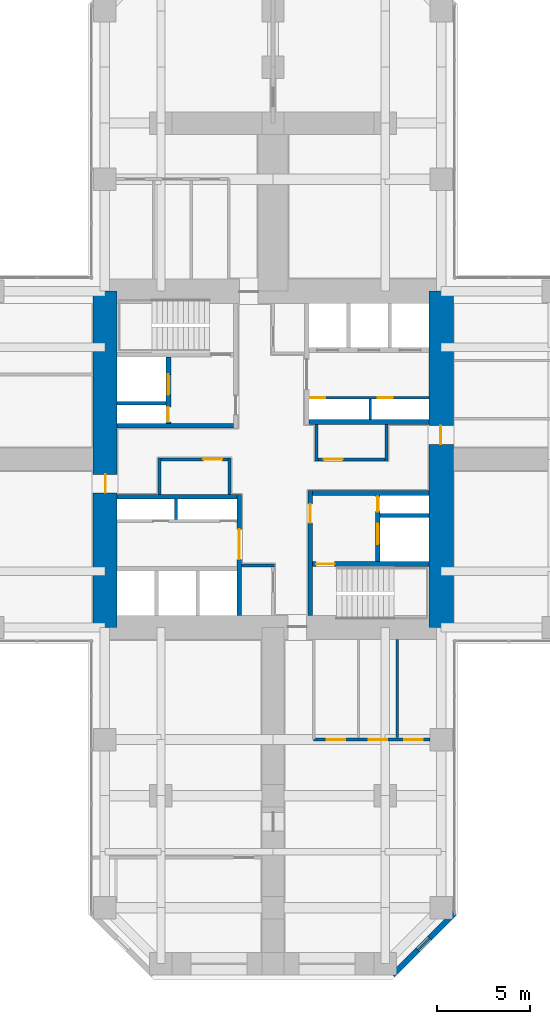
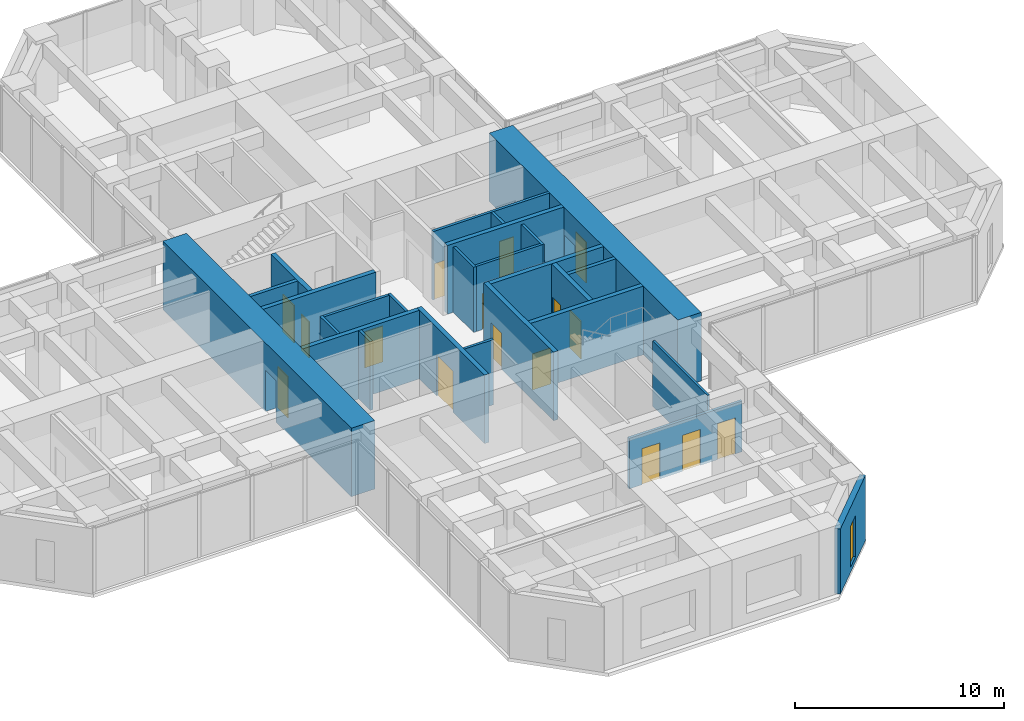
# One storey, part 9 of 12: 26 walls, 16 doors, 1 window, 17 openings.
"""IFC4 building model written with IfcOpenShell, lengths in metres."""

from ifc_helpers import new_model, si_unit, direction, frame, frame_2d, origin, place, context, subcontext, project, spatial, rectangle, hollow_rectangle, extrude, material, layer, layer_set, constituent, constituent_set, type_object, element, fill, save


model = new_model("IFC4")

# Units and contexts
model_context = context("Model", 3, precision=1e-05, world=origin(), true_north=direction((0.0, 1.0)))
body_context = subcontext(model_context, "Body", "Model", "MODEL_VIEW")
ifc_project = project(units=[si_unit("LENGTHUNIT", "METRE"), si_unit("AREAUNIT", "SQUARE_METRE"), si_unit("VOLUMEUNIT", "CUBIC_METRE"), si_unit("PLANEANGLEUNIT", "RADIAN"), si_unit("MASSUNIT", "GRAM", prefix="KILO")], contexts=[model_context])

# Site, building, storey
site_placement = place(None, origin())
site = spatial("IfcSite", under=ifc_project, at=site_placement, CompositionType="ELEMENT")
building_placement = place(site_placement, origin())
building = spatial("IfcBuilding", under=site, at=building_placement, Name="Torre Cruceta", CompositionType="ELEMENT")
storey_placement = place(building_placement, frame((0.0, 0.0, 67.5)))
storey = spatial("IfcBuildingStorey", under=building, at=storey_placement, Name="L16", CompositionType="ELEMENT", Elevation=67.5)

# Walls
ifc_material_1 = material(Name="Concrete G60 (fck 60 MPa)", Category="concrete")
ifc_layer_1 = layer(ifc_material_1, 0.25)
ifc_layer_set_1 = layer_set([ifc_layer_1], Name="Concrete G60 (fck 60 MPa)")
wall_type_1 = type_object("IfcWallType", Name="CORE INNER WALL 250 G60", PredefinedType="SHEAR", material=ifc_layer_set_1)
wall_1_placement = place(storey_placement, frame((1.925048828125, 2.0, 0.0), z_axis=(0.0, 0.0, 1.0), x_axis=(1.0, 0.0, 0.0)))
element("IfcWall", 1, at=wall_1_placement, inside=storey, type_object=wall_type_1, Name="CW4 L16 NE-CV", PredefinedType="SHEAR", context=body_context, shape_type="SweptSolid", body=[
    extrude(rectangle(XDim=6.425048828125, YDim=0.25, at=frame_2d((3.21240234375, 0.0))), origin(), (0.0, 0.0, 1.0), 4.0),
])
wall_2_placement = place(storey_placement, frame((-2.125, 1.800048828125, 0.0), z_axis=(0.0, 0.0, 1.0), x_axis=(-1.0, 0.0, 0.0)))
element("IfcWall", 2, at=wall_2_placement, inside=storey, type_object=wall_type_1, Name="CW4 L16 NW-CV", PredefinedType="SHEAR", context=body_context, shape_type="SweptSolid", body=[
    extrude(rectangle(XDim=6.22509765625, YDim=0.25, at=frame_2d((3.112548828125, 0.0))), origin(), (0.0, 0.0, 1.0), 4.0),
])

# Wall, openings, doors
wall_3_placement = place(storey_placement, frame((-5.60009765625, 1.925048828125, 0.0), z_axis=(0.0, 0.0, 1.0), x_axis=(0.0, 1.0, 0.0)))
wall_3 = element("IfcWall", 3, at=wall_3_placement, inside=storey, type_object=wall_type_1, Name="CW4 L16 NW-FU", PredefinedType="SHEAR", context=body_context, shape_type="SweptSolid", body=[
    extrude(rectangle(XDim=3.550048828125, YDim=0.25, at=frame_2d((1.77490234375, 0.0))), origin(), (0.0, 0.0, 1.0), 4.0),
])
opening_1_placement = place(wall_3_placement, frame((1.52490234375, 0.0, 0.0)))
opening_1 = element("IfcOpeningElement", 4, at=opening_1_placement, cuts=wall_3, Name="Opening LD1", PredefinedType="OPENING", context=body_context, shape_type="SweptSolid", body=[
    extrude(rectangle(XDim=1.10009765625, YDim=2.199951171875, at=frame_2d((0.550048828125, 1.10009765625))), frame((0.0, 0.135009765625, 0.0), z_axis=(0.0, -1.0, 0.0), x_axis=(1.0, 0.0, 0.0)), (0.0, 0.0, 1.0), 0.27001953125),
])
opening_2_placement = place(wall_3_placement, frame((0.074951171875, 0.0, 0.0)))
opening_2 = element("IfcOpeningElement", 5, at=opening_2_placement, cuts=wall_3, Name="Opening D5", PredefinedType="OPENING", context=body_context, shape_type="SweptSolid", body=[
    extrude(rectangle(XDim=0.800048828125, YDim=2.10009765625, at=frame_2d((0.39990234375, 1.050048828125))), frame((0.0, 0.135009765625, 0.0), z_axis=(0.0, -1.0, 0.0), x_axis=(1.0, 0.0, 0.0)), (0.0, 0.0, 1.0), 0.27001953125),
])
ifc_material_2 = material(Name="Stainless steel 1.4401", Category="steel")
door_type_1 = type_object("IfcDoorType", Name="LIFT LANDING DOOR 1100X2200", OperationType="DOUBLE_DOOR_SLIDING", PredefinedType="DOOR", material=ifc_material_2)
door_1_placement = place(opening_1_placement, origin())
door_1 = element("IfcDoor", 6, at=door_1_placement, inside=storey, type_object=door_type_1, Name="Lift landing door FL1", OperationType="DOUBLE_DOOR_SLIDING", OverallHeight=2.199951171875, OverallWidth=1.10009765625, PredefinedType="DOOR", context=body_context, shape_type="SweptSolid", body=[
    extrude(rectangle(XDim=1.10009765625, YDim=2.199951171875, at=frame_2d((0.550048828125, 1.10009765625))), frame((0.0, 0.02490234375, 0.0), z_axis=(0.0, -1.0, 0.0), x_axis=(1.0, 0.0, 0.0)), (0.0, 0.0, 1.0), 0.050048828125),
])
fill(opening_1, door_1)
ifc_material_3 = material(Name="Steel DX51D", Category="steel")
ifc_constituent_1 = constituent(ifc_material_3, Name="Leaf and frame")
ifc_material_4 = material(Name="Polyester powder coating", Category="paint")
ifc_constituent_2 = constituent(ifc_material_4, Name="Finish")
ifc_constituent_set_1 = constituent_set(constituents=[ifc_constituent_1, ifc_constituent_2], Name="Steel fire door")
door_type_2 = type_object("IfcDoorType", Name="RISER ACCESS DOOR 800X2100", OperationType="SINGLE_SWING_LEFT", PredefinedType="DOOR", material=ifc_constituent_set_1)
door_2_placement = place(opening_2_placement, origin())
door_2 = element("IfcDoor", 7, at=door_2_placement, inside=storey, type_object=door_type_2, Name="D5 L16 NW-RISER", OperationType="SINGLE_SWING_LEFT", OverallHeight=2.10009765625, OverallWidth=0.800048828125, PredefinedType="DOOR", context=body_context, shape_type="SweptSolid", body=[
    extrude(rectangle(XDim=0.800048828125, YDim=2.10009765625, at=frame_2d((0.39990234375, 1.050048828125))), frame((0.0, 0.02490234375, 0.0), z_axis=(0.0, -1.0, 0.0), x_axis=(1.0, 0.0, 0.0)), (0.0, 0.0, 1.0), 0.050048828125),
])
fill(opening_2, door_2)

# Wall, opening, door
wall_4_placement = place(storey_placement, frame((-1.800048828125, -1.875, 0.0), z_axis=(0.0, 0.0, 1.0), x_axis=(0.0, -1.0, 0.0)))
wall_4 = element("IfcWall", 8, at=wall_4_placement, inside=storey, type_object=wall_type_1, Name="CW4 L16 SW-CU", PredefinedType="SHEAR", context=body_context, shape_type="SweptSolid", body=[
    extrude(rectangle(XDim=6.47509765625, YDim=0.25, at=frame_2d((3.237548828125, 0.0))), origin(), (0.0, 0.0, 1.0), 4.0),
])
opening_3_placement = place(wall_4_placement, frame((1.875, 0.0, 0.0)))
opening_3 = element("IfcOpeningElement", 9, at=opening_3_placement, cuts=wall_4, Name="Opening D15", PredefinedType="OPENING", context=body_context, shape_type="SweptSolid", body=[
    extrude(rectangle(XDim=1.60009765625, YDim=2.39990234375, at=frame_2d((0.800048828125, 1.199951171875))), frame((0.0, 0.135009765625, 0.0), z_axis=(0.0, -1.0, 0.0), x_axis=(1.0, 0.0, 0.0)), (0.0, 0.0, 1.0), 0.27001953125),
])
ifc_material_5 = material(Name="Steel DX51D", Category="steel")
ifc_constituent_3 = constituent(ifc_material_5, Name="Leaf and frame")
ifc_material_6 = material(Name="Polyester powder coating", Category="paint")
ifc_constituent_4 = constituent(ifc_material_6, Name="Finish")
ifc_constituent_set_2 = constituent_set(constituents=[ifc_constituent_3, ifc_constituent_4], Name="Steel fire door")
door_type_3 = type_object("IfcDoorType", Name="CORE ROOM DOUBLE DOOR 1600X2400", OperationType="DOUBLE_DOOR_SINGLE_SWING", PredefinedType="DOOR", material=ifc_constituent_set_2)
door_3_placement = place(opening_3_placement, frame((1.60009765625, 0.0, 0.0), z_axis=(0.0, 0.0, 1.0), x_axis=(-1.0, 0.0, 0.0)))
door_3 = element("IfcDoor", 10, at=door_3_placement, inside=storey, type_object=door_type_3, Name="D15 L16 SW-LOBBY", OperationType="DOUBLE_DOOR_SINGLE_SWING", OverallHeight=2.39990234375, OverallWidth=1.60009765625, PredefinedType="DOOR", context=body_context, shape_type="SweptSolid", body=[
    extrude(rectangle(XDim=1.60009765625, YDim=2.39990234375, at=frame_2d((0.800048828125, 1.199951171875))), frame((0.0, 0.025146484375, 0.0), z_axis=(0.0, -1.0, 0.0), x_axis=(1.0, 0.0, 0.0)), (0.0, 0.0, 1.0), 0.050048828125),
])
fill(opening_3, door_3)

# Wall
wall_5_placement = place(storey_placement, frame((-1.925048828125, -2.0, 0.0), z_axis=(0.0, 0.0, 1.0), x_axis=(-1.0, 0.0, 0.0)))
element("IfcWall", 11, at=wall_5_placement, inside=storey, type_object=wall_type_1, Name="CW4 L16 SW-CV", PredefinedType="SHEAR", context=body_context, shape_type="SweptSolid", body=[
    extrude(rectangle(XDim=6.425048828125, YDim=0.25, at=frame_2d((3.21240234375, 0.0))), origin(), (0.0, 0.0, 1.0), 4.0),
])

# Wall, opening, door
wall_6_placement = place(storey_placement, frame((2.0, -1.675048828125, 0.0), z_axis=(0.0, 0.0, 1.0), x_axis=(0.0, -1.0, 0.0)))
wall_6 = element("IfcWall", 12, at=wall_6_placement, inside=storey, type_object=wall_type_1, Name="CW4 L16 SE-CU", PredefinedType="SHEAR", context=body_context, shape_type="SweptSolid", body=[
    extrude(rectangle(XDim=6.675048828125, YDim=0.25, at=frame_2d((3.33740234375, 0.0))), origin(), (0.0, 0.0, 1.0), 4.0),
])
opening_4_placement = place(wall_6_placement, frame((0.72509765625, 0.0, 0.0)))
opening_4 = element("IfcOpeningElement", 13, at=opening_4_placement, cuts=wall_6, Name="Opening D3", PredefinedType="OPENING", context=body_context, shape_type="SweptSolid", body=[
    extrude(rectangle(XDim=1.0, YDim=2.10009765625, at=frame_2d((0.5, 1.050048828125))), frame((0.0, 0.135009765625, 0.0), z_axis=(0.0, -1.0, 0.0), x_axis=(1.0, 0.0, 0.0)), (0.0, 0.0, 1.0), 0.27001953125),
])
ifc_material_7 = material(Name="Steel DX51D", Category="steel")
ifc_constituent_5 = constituent(ifc_material_7, Name="Leaf and frame")
ifc_material_8 = material(Name="Polyester powder coating", Category="paint")
ifc_constituent_6 = constituent(ifc_material_8, Name="Finish")
ifc_constituent_set_3 = constituent_set(constituents=[ifc_constituent_5, ifc_constituent_6], Name="Steel fire door")
door_type_4 = type_object("IfcDoorType", Name="FIRE DOOR 1000X2100", OperationType="SINGLE_SWING_LEFT", PredefinedType="DOOR", material=ifc_constituent_set_3)
door_4_placement = place(opening_4_placement, origin())
door_4 = element("IfcDoor", 14, at=door_4_placement, inside=storey, type_object=door_type_4, Name="D3 L16 SE-LOBBY", OperationType="SINGLE_SWING_LEFT", OverallHeight=2.10009765625, OverallWidth=1.0, PredefinedType="DOOR", context=body_context, shape_type="SweptSolid", body=[
    extrude(rectangle(XDim=1.0, YDim=2.10009765625, at=frame_2d((0.5, 1.050048828125))), frame((0.0, 0.02490234375, 0.0), z_axis=(0.0, -1.0, 0.0), x_axis=(1.0, 0.0, 0.0)), (0.0, 0.0, 1.0), 0.050048828125),
])
fill(opening_4, door_4)

# Wall
wall_7_placement = place(storey_placement, frame((2.125, -1.800048828125, 0.0), z_axis=(0.0, 0.0, 1.0), x_axis=(1.0, 0.0, 0.0)))
element("IfcWall", 15, at=wall_7_placement, inside=storey, type_object=wall_type_1, Name="CW4 L16 SE-CV", PredefinedType="SHEAR", context=body_context, shape_type="SweptSolid", body=[
    extrude(rectangle(XDim=6.22509765625, YDim=0.25, at=frame_2d((3.112548828125, 0.0))), origin(), (0.0, 0.0, 1.0), 4.0),
])

# Wall, opening, door
wall_8_placement = place(storey_placement, frame((2.125, -5.60009765625, 0.0), z_axis=(0.0, 0.0, 1.0), x_axis=(1.0, 0.0, 0.0)))
wall_8 = element("IfcWall", 16, at=wall_8_placement, inside=storey, type_object=wall_type_1, Name="CW4 L16 SE-SV", PredefinedType="SHEAR", context=body_context, shape_type="SweptSolid", body=[
    extrude(rectangle(XDim=6.22509765625, YDim=0.25, at=frame_2d((3.112548828125, 0.0))), origin(), (0.0, 0.0, 1.0), 4.0),
])
opening_5_placement = place(wall_8_placement, frame((0.175048828125, 0.0, 0.0)))
opening_5 = element("IfcOpeningElement", 17, at=opening_5_placement, cuts=wall_8, Name="Opening D3", PredefinedType="OPENING", context=body_context, shape_type="SweptSolid", body=[
    extrude(rectangle(XDim=1.0, YDim=2.10009765625, at=frame_2d((0.5, 1.050048828125))), frame((0.0, 0.135009765625, 0.0), z_axis=(0.0, -1.0, 0.0), x_axis=(1.0, 0.0, 0.0)), (0.0, 0.0, 1.0), 0.27001953125),
])
door_5_placement = place(opening_5_placement, frame((1.0, 0.0, 0.0), z_axis=(0.0, 0.0, 1.0), x_axis=(-1.0, 0.0, 0.0)))
door_5 = element("IfcDoor", 18, at=door_5_placement, inside=storey, type_object=door_type_4, Name="D3 L16 SE-STAIR", OperationType="SINGLE_SWING_RIGHT", OverallHeight=2.10009765625, OverallWidth=1.0, PredefinedType="DOOR", context=body_context, shape_type="SweptSolid", body=[
    extrude(rectangle(XDim=1.0, YDim=2.10009765625, at=frame_2d((0.5, 1.050048828125))), frame((0.0, 0.025146484375, 0.0), z_axis=(0.0, -1.0, 0.0), x_axis=(1.0, 0.0, 0.0)), (0.0, 0.0, 1.0), 0.050048828125),
])
fill(opening_5, door_5)

# Wall, openings, doors
wall_9_placement = place(storey_placement, frame((5.60009765625, -1.925048828125, 0.0), z_axis=(0.0, 0.0, 1.0), x_axis=(0.0, -1.0, 0.0)))
wall_9 = element("IfcWall", 19, at=wall_9_placement, inside=storey, type_object=wall_type_1, Name="CW4 L16 SE-FU", PredefinedType="SHEAR", context=body_context, shape_type="SweptSolid", body=[
    extrude(rectangle(XDim=3.550048828125, YDim=0.25, at=frame_2d((1.77490234375, 0.0))), origin(), (0.0, 0.0, 1.0), 4.0),
])
opening_6_placement = place(wall_9_placement, frame((1.52490234375, 0.0, 0.0)))
opening_6 = element("IfcOpeningElement", 20, at=opening_6_placement, cuts=wall_9, Name="Opening LD1", PredefinedType="OPENING", context=body_context, shape_type="SweptSolid", body=[
    extrude(rectangle(XDim=1.10009765625, YDim=2.199951171875, at=frame_2d((0.550048828125, 1.10009765625))), frame((0.0, 0.135009765625, 0.0), z_axis=(0.0, -1.0, 0.0), x_axis=(1.0, 0.0, 0.0)), (0.0, 0.0, 1.0), 0.27001953125),
])
opening_7_placement = place(wall_9_placement, frame((0.074951171875, 0.0, 0.0)))
opening_7 = element("IfcOpeningElement", 21, at=opening_7_placement, cuts=wall_9, Name="Opening D5", PredefinedType="OPENING", context=body_context, shape_type="SweptSolid", body=[
    extrude(rectangle(XDim=0.800048828125, YDim=2.10009765625, at=frame_2d((0.39990234375, 1.050048828125))), frame((0.0, 0.135009765625, 0.0), z_axis=(0.0, -1.0, 0.0), x_axis=(1.0, 0.0, 0.0)), (0.0, 0.0, 1.0), 0.27001953125),
])
door_6_placement = place(opening_6_placement, origin())
door_6 = element("IfcDoor", 22, at=door_6_placement, inside=storey, type_object=door_type_1, Name="Lift landing door FL2", OperationType="DOUBLE_DOOR_SLIDING", OverallHeight=2.199951171875, OverallWidth=1.10009765625, PredefinedType="DOOR", context=body_context, shape_type="SweptSolid", body=[
    extrude(rectangle(XDim=1.10009765625, YDim=2.199951171875, at=frame_2d((0.550048828125, 1.10009765625))), frame((0.0, 0.02490234375, 0.0), z_axis=(0.0, -1.0, 0.0), x_axis=(1.0, 0.0, 0.0)), (0.0, 0.0, 1.0), 0.050048828125),
])
fill(opening_6, door_6)
door_7_placement = place(opening_7_placement, origin())
door_7 = element("IfcDoor", 23, at=door_7_placement, inside=storey, type_object=door_type_2, Name="D5 L16 SE-RISER", OperationType="SINGLE_SWING_LEFT", OverallHeight=2.10009765625, OverallWidth=0.800048828125, PredefinedType="DOOR", context=body_context, shape_type="SweptSolid", body=[
    extrude(rectangle(XDim=0.800048828125, YDim=2.10009765625, at=frame_2d((0.39990234375, 1.050048828125))), frame((0.0, 0.02490234375, 0.0), z_axis=(0.0, -1.0, 0.0), x_axis=(1.0, 0.0, 0.0)), (0.0, 0.0, 1.0), 0.050048828125),
])
fill(opening_7, door_7)

# Wall, opening, door
ifc_material_9 = material(Name="Concrete G60 (fck 60 MPa)", Category="concrete")
ifc_layer_2 = layer(ifc_material_9, 1.300048828125)
ifc_layer_set_2 = layer_set([ifc_layer_2], Name="Concrete G60 (fck 60 MPa)")
wall_type_2 = type_object("IfcWallType", Name="CORE WALL 1300 G60", PredefinedType="SHEAR", material=ifc_layer_set_2)
wall_10_placement = place(storey_placement, frame((9.0, -9.0, 0.0), z_axis=(0.0, 0.0, 1.0), x_axis=(0.0, 1.0, 0.0)))
wall_10 = element("IfcWall", 24, at=wall_10_placement, inside=storey, type_object=wall_type_2, Name="CW1 L16 CW-E", PredefinedType="SHEAR", context=body_context, shape_type="SweptSolid", body=[
    extrude(rectangle(XDim=18.0, YDim=1.300048828125, at=frame_2d((9.0, 0.0))), origin(), (0.0, 0.0, 1.0), 4.0),
])
opening_8_placement = place(wall_10_placement, frame((9.800048828125, 0.0, 0.0)))
opening_8 = element("IfcOpeningElement", 25, at=opening_8_placement, cuts=wall_10, Name="Opening D4", PredefinedType="OPENING", context=body_context, shape_type="SweptSolid", body=[
    extrude(rectangle(XDim=1.0, YDim=2.39990234375, at=frame_2d((0.5, 1.199951171875))), frame((0.0, 0.659912109375, 0.0), z_axis=(0.0, -1.0, 0.0), x_axis=(1.0, 0.0, 0.0)), (0.0, 0.0, 1.0), 1.320068359375),
])
ifc_material_10 = material(Name="Steel DX51D", Category="steel")
ifc_constituent_7 = constituent(ifc_material_10, Name="Leaf and frame")
ifc_material_11 = material(Name="Polyester powder coating", Category="paint")
ifc_constituent_8 = constituent(ifc_material_11, Name="Finish")
ifc_constituent_set_4 = constituent_set(constituents=[ifc_constituent_7, ifc_constituent_8], Name="Steel fire door")
door_type_5 = type_object("IfcDoorType", Name="CORE ARM DOOR 1000X2400", OperationType="SINGLE_SWING_RIGHT", PredefinedType="DOOR", material=ifc_constituent_set_4)
door_8_placement = place(opening_8_placement, frame((1.0, 0.0, 0.0), z_axis=(0.0, 0.0, 1.0), x_axis=(-1.0, 0.0, 0.0)))
door_8 = element("IfcDoor", 26, at=door_8_placement, inside=storey, type_object=door_type_5, Name="D4 L16 CW-E", OperationType="SINGLE_SWING_RIGHT", OverallHeight=2.39990234375, OverallWidth=1.0, PredefinedType="DOOR", context=body_context, shape_type="SweptSolid", body=[
    extrude(rectangle(XDim=1.0, YDim=2.39990234375, at=frame_2d((0.5, 1.199951171875))), frame((0.0, -0.005126953125, 0.0), z_axis=(0.0, -1.0, 0.0), x_axis=(1.0, 0.0, 0.0)), (0.0, 0.0, 1.0), 0.050048828125),
])
fill(opening_8, door_8)

wall_11_placement = place(storey_placement, frame((-9.0, 9.0, 0.0), z_axis=(0.0, 0.0, 1.0), x_axis=(0.0, -1.0, 0.0)))
wall_11 = element("IfcWall", 27, at=wall_11_placement, inside=storey, type_object=wall_type_2, Name="CW1 L16 CW-W", PredefinedType="SHEAR", context=body_context, shape_type="SweptSolid", body=[
    extrude(rectangle(XDim=18.0, YDim=1.300048828125, at=frame_2d((9.0, 0.0))), origin(), (0.0, 0.0, 1.0), 4.0),
])
opening_9_placement = place(wall_11_placement, frame((9.800048828125, 0.0, 0.0)))
opening_9 = element("IfcOpeningElement", 28, at=opening_9_placement, cuts=wall_11, Name="Opening D4", PredefinedType="OPENING", context=body_context, shape_type="SweptSolid", body=[
    extrude(rectangle(XDim=1.0, YDim=2.39990234375, at=frame_2d((0.5, 1.199951171875))), frame((0.0, 0.659912109375, 0.0), z_axis=(0.0, -1.0, 0.0), x_axis=(1.0, 0.0, 0.0)), (0.0, 0.0, 1.0), 1.320068359375),
])
door_9_placement = place(opening_9_placement, frame((1.0, 0.0, 0.0), z_axis=(0.0, 0.0, 1.0), x_axis=(-1.0, 0.0, 0.0)))
door_9 = element("IfcDoor", 29, at=door_9_placement, inside=storey, type_object=door_type_5, Name="D4 L16 CW-W", OperationType="SINGLE_SWING_RIGHT", OverallHeight=2.39990234375, OverallWidth=1.0, PredefinedType="DOOR", context=body_context, shape_type="SweptSolid", body=[
    extrude(rectangle(XDim=1.0, YDim=2.39990234375, at=frame_2d((0.5, 1.199951171875))), frame((0.0, -0.005126953125, 0.0), z_axis=(0.0, -1.0, 0.0), x_axis=(1.0, 0.0, 0.0)), (0.0, 0.0, 1.0), 0.050048828125),
])
fill(opening_9, door_9)

# Wall, opening, window
ifc_material_12 = material(Name="Concrete G30 (fck 30 MPa)", Category="concrete")
ifc_layer_3 = layer(ifc_material_12, 0.300048828125)
ifc_layer_set_3 = layer_set([ifc_layer_3], Name="Concrete G30 (fck 30 MPa)")
wall_type_3 = type_object("IfcWallType", Name="EXPOSED CONCRETE FACADE WALL 300", PredefinedType="SOLIDWALL", material=ifc_layer_set_3)
wall_12_placement = place(storey_placement, frame((6.418212890625, -27.60009765625, 0.0), z_axis=(0.0, 0.0, 1.0), x_axis=(0.707106781187, 0.707106781187, 0.0)))
wall_12 = element("IfcWall", 30, at=wall_12_placement, inside=storey, type_object=wall_type_3, Name="EW1 facade wall L16 S chamfer 18", PredefinedType="SOLIDWALL", context=body_context, shape_type="SweptSolid", body=[
    extrude(rectangle(XDim=4.66943359375, YDim=0.300048828125, at=frame_2d((2.334716796875, 0.0))), origin(), (0.0, 0.0, 1.0), 3.800048828125),
])
opening_10_placement = place(wall_12_placement, frame((1.884765625, 0.0, 0.300048828125)))
opening_10 = element("IfcOpeningElement", 31, at=opening_10_placement, cuts=wall_12, Name="Opening WN5", PredefinedType="OPENING", context=body_context, shape_type="SweptSolid", body=[
    extrude(rectangle(XDim=0.89990234375, YDim=2.39990234375, at=frame_2d((0.449951171875, 1.199951171875))), frame((0.0, 0.159912109375, 0.0), z_axis=(0.0, -1.0, 0.0), x_axis=(1.0, 0.0, 0.0)), (0.0, 0.0, 1.0), 0.320068359375),
])
ifc_material_13 = material(Name="Aluminium window frame", Category="aluminium")
ifc_constituent_9 = constituent(ifc_material_13, Name="Frame")
ifc_material_14 = material(Name="Laminated insulating glass unit, low-iron clear", Category="glass")
ifc_constituent_10 = constituent(ifc_material_14, Name="Glazing")
ifc_constituent_set_5 = constituent_set(constituents=[ifc_constituent_9, ifc_constituent_10], Name="Aluminium window")
window_type = type_object("IfcWindowType", Name="CHAMFER SLOT WINDOW 900X2400", PartitioningType="SINGLE_PANEL", PredefinedType="WINDOW", material=ifc_constituent_set_5)
window_placement = place(opening_10_placement, origin())
window = element("IfcWindow", 32, at=window_placement, inside=storey, type_object=window_type, Name="WN5 L16 S 1", OverallHeight=2.39990234375, OverallWidth=0.89990234375, PartitioningType="SINGLE_PANEL", PredefinedType="WINDOW", context=body_context, shape_type="SweptSolid", body=[
    extrude(hollow_rectangle(XDim=0.89990234375, YDim=2.39990234375, WallThickness=0.06005859375, at=frame_2d((0.449951171875, 1.199951171875))), frame((0.0, 0.030029296875, 0.0), z_axis=(0.0, -1.0, 0.0), x_axis=(1.0, 0.0, 0.0)), (0.0, 0.0, 1.0), 0.06005859375),
    extrude(rectangle(XDim=0.77880859375, YDim=2.27880859375, at=frame_2d((0.449951171875, 1.199951171875))), frame((0.0, 0.030029296875, 0.0), z_axis=(0.0, -1.0, 0.0), x_axis=(1.0, 0.0, 0.0)), (0.0, 0.0, 1.0), 0.06005859375),
])
fill(opening_10, window)

# Walls
ifc_material_15 = material(Name="Concrete G35 (fck 35 MPa)", Category="concrete")
ifc_layer_4 = layer(ifc_material_15, 0.199951171875)
ifc_layer_set_4 = layer_set([ifc_layer_4], Name="Concrete G35 (fck 35 MPa)")
wall_type_4 = type_object("IfcWallType", Name="LIFT SHAFT WALL 200", PredefinedType="PARTITIONING", material=ifc_layer_set_4)
for number, where, z_axis, x_axis, name in (
    (33, (-5.72509765625, 3.0, 0.0), (0.0, 0.0, 1.0), (-1.0, 0.0, 0.0), "SW1 L16 NW-FR"),
    (34, (5.72509765625, -3.0, 0.0), (0.0, 0.0, 1.0), (1.0, 0.0, 0.0), "SW1 L16 SE-FR"),
):
    element("IfcWall", number, at=place(storey_placement, frame(where, z_axis=z_axis, x_axis=x_axis)), inside=storey, type_object=wall_type_4, Name=name, PredefinedType="PARTITIONING", context=body_context, shape_type="SweptSolid", body=[
        extrude(rectangle(XDim=2.625, YDim=0.199951171875, at=frame_2d((1.3125, 0.0))), origin(), (0.0, 0.0, 1.0), 4.0),
    ])

# Wall, opening, door
ifc_material_16 = material(Name="Plasterboard on steel studs", Category="steel")
ifc_layer_5 = layer(ifc_material_16, 0.14990234375)
ifc_layer_set_5 = layer_set([ifc_layer_5], Name="Plasterboard on steel studs")
wall_type_5 = type_object("IfcWallType", Name="PARTITION 150", PredefinedType="PARTITIONING", material=ifc_layer_set_5)
wall_13_placement = place(storey_placement, frame((2.324951171875, 0.0, 0.0), z_axis=(0.0, 0.0, 1.0), x_axis=(1.0, 0.0, 0.0)))
wall_13 = element("IfcWall", 35, at=wall_13_placement, inside=storey, type_object=wall_type_5, Name="PT1 L16-CORE-LEGE-N-W1", PredefinedType="PARTITIONING", context=body_context, shape_type="SweptSolid", body=[
    extrude(rectangle(XDim=3.75, YDim=0.14990234375, at=frame_2d((1.875, 0.0))), origin(), (0.0, 0.0, 1.0), 3.800048828125),
])
opening_11_placement = place(wall_13_placement, frame((0.39990234375, 0.0, 0.0)))
opening_11 = element("IfcOpeningElement", 36, at=opening_11_placement, cuts=wall_13, Name="Opening D3", PredefinedType="OPENING", context=body_context, shape_type="SweptSolid", body=[
    extrude(rectangle(XDim=1.0, YDim=2.10009765625, at=frame_2d((0.5, 1.050048828125))), frame((0.0, 0.0849609375, 0.0), z_axis=(0.0, -1.0, 0.0), x_axis=(1.0, 0.0, 0.0)), (0.0, 0.0, 1.0), 0.169921875),
])
door_10_placement = place(opening_11_placement, origin())
door_10 = element("IfcDoor", 37, at=door_10_placement, inside=storey, type_object=door_type_4, Name="D3 L16-CORE-LEGE-N-W1-D1", OperationType="SINGLE_SWING_LEFT", OverallHeight=2.10009765625, OverallWidth=1.0, PredefinedType="DOOR", context=body_context, shape_type="SweptSolid", body=[
    extrude(rectangle(XDim=1.0, YDim=2.10009765625, at=frame_2d((0.5, 1.050048828125))), frame((0.0, 0.02490234375, 0.0), z_axis=(0.0, -1.0, 0.0), x_axis=(1.0, 0.0, 0.0)), (0.0, 0.0, 1.0), 0.050048828125),
])
fill(opening_11, door_10)

# Walls
for number, where, z_axis, x_axis, name in (
    (38, (2.324951171875, 1.875, 0.0), (0.0, 0.0, 1.0), (0.0, -1.0, 0.0), "PT1 L16-CORE-LEGE-N-W2"),
    (39, (6.074951171875, -0.074951171875, 0.0), (0.0, 0.0, 1.0), (0.0, 1.0, 0.0), "PT1 L16-CORE-LEGE-N-W3"),
):
    element("IfcWall", number, at=place(storey_placement, frame(where, z_axis=z_axis, x_axis=x_axis)), inside=storey, type_object=wall_type_5, Name=name, PredefinedType="PARTITIONING", context=body_context, shape_type="SweptSolid", body=[
        extrude(rectangle(XDim=1.949951171875, YDim=0.14990234375, at=frame_2d((0.97509765625, 0.0))), origin(), (0.0, 0.0, 1.0), 3.800048828125),
    ])

# Wall, opening, door
wall_14_placement = place(storey_placement, frame((-2.324951171875, 0.0, 0.0), z_axis=(0.0, 0.0, 1.0), x_axis=(-1.0, 0.0, 0.0)))
wall_14 = element("IfcWall", 40, at=wall_14_placement, inside=storey, type_object=wall_type_5, Name="PT1 L16-CORE-LEGW-S-W1", PredefinedType="PARTITIONING", context=body_context, shape_type="SweptSolid", body=[
    extrude(rectangle(XDim=3.75, YDim=0.14990234375, at=frame_2d((1.875, 0.0))), origin(), (0.0, 0.0, 1.0), 3.800048828125),
])
opening_12_placement = place(wall_14_placement, frame((0.39990234375, 0.0, 0.0)))
opening_12 = element("IfcOpeningElement", 41, at=opening_12_placement, cuts=wall_14, Name="Opening D3", PredefinedType="OPENING", context=body_context, shape_type="SweptSolid", body=[
    extrude(rectangle(XDim=1.0, YDim=2.10009765625, at=frame_2d((0.5, 1.050048828125))), frame((0.0, 0.0849609375, 0.0), z_axis=(0.0, -1.0, 0.0), x_axis=(1.0, 0.0, 0.0)), (0.0, 0.0, 1.0), 0.169921875),
])
door_11_placement = place(opening_12_placement, origin())
door_11 = element("IfcDoor", 42, at=door_11_placement, inside=storey, type_object=door_type_4, Name="D3 L16-CORE-LEGW-S-W1-D1", OperationType="SINGLE_SWING_LEFT", OverallHeight=2.10009765625, OverallWidth=1.0, PredefinedType="DOOR", context=body_context, shape_type="SweptSolid", body=[
    extrude(rectangle(XDim=1.0, YDim=2.10009765625, at=frame_2d((0.5, 1.050048828125))), frame((0.0, 0.02490234375, 0.0), z_axis=(0.0, -1.0, 0.0), x_axis=(1.0, 0.0, 0.0)), (0.0, 0.0, 1.0), 0.050048828125),
])
fill(opening_12, door_11)

# Walls
for number, where, z_axis, x_axis, name in (
    (43, (-2.324951171875, -1.875, 0.0), (0.0, 0.0, 1.0), (0.0, 1.0, 0.0), "PT1 L16-CORE-LEGW-S-W2"),
    (44, (-6.074951171875, 0.074951171875, 0.0), (0.0, 0.0, 1.0), (0.0, -1.0, 0.0), "PT1 L16-CORE-LEGW-S-W3"),
):
    element("IfcWall", number, at=place(storey_placement, frame(where, z_axis=z_axis, x_axis=x_axis)), inside=storey, type_object=wall_type_5, Name=name, PredefinedType="PARTITIONING", context=body_context, shape_type="SweptSolid", body=[
        extrude(rectangle(XDim=1.949951171875, YDim=0.14990234375, at=frame_2d((0.97509765625, 0.0))), origin(), (0.0, 0.0, 1.0), 3.800048828125),
    ])
wall_15_placement = place(storey_placement, frame((-1.675048828125, -5.675048828125, 0.0), z_axis=(0.0, 0.0, 1.0), x_axis=(1.0, 0.0, 0.0)))
element("IfcWall", 45, at=wall_15_placement, inside=storey, type_object=wall_type_5, Name="PT1 L16-CORE-LEGS-W-W2", PredefinedType="PARTITIONING", context=body_context, shape_type="SweptSolid", body=[
    extrude(rectangle(XDim=1.75, YDim=0.14990234375, at=frame_2d((0.875, 0.0))), origin(), (0.0, 0.0, 1.0), 3.800048828125),
])

# Wall, openings, doors
wall_16_placement = place(storey_placement, frame((2.175048828125, -15.0, 0.0), z_axis=(0.0, 0.0, 1.0), x_axis=(1.0, 0.0, 0.0)))
wall_16 = element("IfcWall", 46, at=wall_16_placement, inside=storey, type_object=wall_type_5, Name="PT1 L16-S-BFL", PredefinedType="PARTITIONING", context=body_context, shape_type="SweptSolid", body=[
    extrude(rectangle(XDim=6.224853515625, YDim=0.14990234375, at=frame_2d((3.1123046875, 0.0))), origin(), (0.0, 0.0, 1.0), 2.949951171875),
])
opening_13_placement = place(wall_16_placement, frame((0.699951171875, 0.0, 0.0)))
opening_13 = element("IfcOpeningElement", 47, at=opening_13_placement, cuts=wall_16, Name="Opening D3", PredefinedType="OPENING", context=body_context, shape_type="SweptSolid", body=[
    extrude(rectangle(XDim=1.0, YDim=2.10009765625, at=frame_2d((0.5, 1.050048828125))), frame((0.0, 0.0849609375, 0.0), z_axis=(0.0, -1.0, 0.0), x_axis=(1.0, 0.0, 0.0)), (0.0, 0.0, 1.0), 0.169921875),
])
opening_14_placement = place(wall_16_placement, frame((2.9375, 0.0, 0.0)))
opening_14 = element("IfcOpeningElement", 48, at=opening_14_placement, cuts=wall_16, Name="Opening D3", PredefinedType="OPENING", context=body_context, shape_type="SweptSolid", body=[
    extrude(rectangle(XDim=1.0, YDim=2.10009765625, at=frame_2d((0.5, 1.050048828125))), frame((0.0, 0.0849609375, 0.0), z_axis=(0.0, -1.0, 0.0), x_axis=(1.0, 0.0, 0.0)), (0.0, 0.0, 1.0), 0.169921875),
])
opening_15_placement = place(wall_16_placement, frame((4.85009765625, 0.0, 0.0)))
opening_15 = element("IfcOpeningElement", 49, at=opening_15_placement, cuts=wall_16, Name="Opening D3", PredefinedType="OPENING", context=body_context, shape_type="SweptSolid", body=[
    extrude(rectangle(XDim=1.0, YDim=2.10009765625, at=frame_2d((0.5, 1.050048828125))), frame((0.0, 0.0849609375, 0.0), z_axis=(0.0, -1.0, 0.0), x_axis=(1.0, 0.0, 0.0)), (0.0, 0.0, 1.0), 0.169921875),
])
door_12_placement = place(opening_13_placement, origin())
door_12 = element("IfcDoor", 50, at=door_12_placement, inside=storey, type_object=door_type_4, Name="D3 L16-S-BFL-D1", OperationType="SINGLE_SWING_LEFT", OverallHeight=2.10009765625, OverallWidth=1.0, PredefinedType="DOOR", context=body_context, shape_type="SweptSolid", body=[
    extrude(rectangle(XDim=1.0, YDim=2.10009765625, at=frame_2d((0.5, 1.050048828125))), frame((0.0, 0.02490234375, 0.0), z_axis=(0.0, -1.0, 0.0), x_axis=(1.0, 0.0, 0.0)), (0.0, 0.0, 1.0), 0.050048828125),
])
fill(opening_13, door_12)
door_13_placement = place(opening_14_placement, origin())
door_13 = element("IfcDoor", 51, at=door_13_placement, inside=storey, type_object=door_type_4, Name="D3 L16-S-BFL-D2", OperationType="SINGLE_SWING_RIGHT", OverallHeight=2.10009765625, OverallWidth=1.0, PredefinedType="DOOR", context=body_context, shape_type="SweptSolid", body=[
    extrude(rectangle(XDim=1.0, YDim=2.10009765625, at=frame_2d((0.5, 1.050048828125))), frame((0.0, 0.02490234375, 0.0), z_axis=(0.0, -1.0, 0.0), x_axis=(1.0, 0.0, 0.0)), (0.0, 0.0, 1.0), 0.050048828125),
])
fill(opening_14, door_13)
door_14_placement = place(opening_15_placement, origin())
door_14 = element("IfcDoor", 52, at=door_14_placement, inside=storey, type_object=door_type_4, Name="D3 L16-S-BFL-D3", OperationType="SINGLE_SWING_LEFT", OverallHeight=2.10009765625, OverallWidth=1.0, PredefinedType="DOOR", context=body_context, shape_type="SweptSolid", body=[
    extrude(rectangle(XDim=1.0, YDim=2.10009765625, at=frame_2d((0.5, 1.050048828125))), frame((0.0, 0.02490234375, 0.0), z_axis=(0.0, -1.0, 0.0), x_axis=(1.0, 0.0, 0.0)), (0.0, 0.0, 1.0), 0.050048828125),
])
fill(opening_15, door_14)

ifc_material_17 = material(Name="Concrete block masonry", Category="masonry")
ifc_layer_6 = layer(ifc_material_17, 0.14990234375)
ifc_layer_set_6 = layer_set([ifc_layer_6], Name="Concrete block masonry")
wall_type_6 = type_object("IfcWallType", Name="RISER WALL 150", PredefinedType="PARTITIONING", material=ifc_layer_set_6)
wall_17_placement = place(storey_placement, frame((1.925048828125, 3.300048828125, 0.0), z_axis=(0.0, 0.0, 1.0), x_axis=(1.0, 0.0, 0.0)))
wall_17 = element("IfcWall", 53, at=wall_17_placement, inside=storey, type_object=wall_type_6, Name="SW7 L16 NE-RV", PredefinedType="PARTITIONING", context=body_context, shape_type="SweptSolid", body=[
    extrude(rectangle(XDim=6.425048828125, YDim=0.14990234375, at=frame_2d((3.21240234375, 0.0))), origin(), (0.0, 0.0, 1.0), 4.0),
])
opening_16_placement = place(wall_17_placement, frame((0.074951171875, 0.0, 0.0)))
opening_16 = element("IfcOpeningElement", 54, at=opening_16_placement, cuts=wall_17, Name="Opening D5", PredefinedType="OPENING", context=body_context, shape_type="SweptSolid", body=[
    extrude(rectangle(XDim=0.800048828125, YDim=2.10009765625, at=frame_2d((0.39990234375, 1.050048828125))), frame((0.0, 0.0849609375, 0.0), z_axis=(0.0, -1.0, 0.0), x_axis=(1.0, 0.0, 0.0)), (0.0, 0.0, 1.0), 0.169921875),
])
opening_17_placement = place(wall_17_placement, frame((3.675048828125, 0.0, 0.0)))
opening_17 = element("IfcOpeningElement", 55, at=opening_17_placement, cuts=wall_17, Name="Opening D5", PredefinedType="OPENING", context=body_context, shape_type="SweptSolid", body=[
    extrude(rectangle(XDim=0.800048828125, YDim=2.10009765625, at=frame_2d((0.39990234375, 1.050048828125))), frame((0.0, 0.0849609375, 0.0), z_axis=(0.0, -1.0, 0.0), x_axis=(1.0, 0.0, 0.0)), (0.0, 0.0, 1.0), 0.169921875),
])
door_15_placement = place(opening_16_placement, frame((0.800048828125, 0.0, 0.0), z_axis=(0.0, 0.0, 1.0), x_axis=(-1.0, 0.0, 0.0)))
door_15 = element("IfcDoor", 56, at=door_15_placement, inside=storey, type_object=door_type_2, Name="D5 L16 NE-RISER1", OperationType="SINGLE_SWING_RIGHT", OverallHeight=2.10009765625, OverallWidth=0.800048828125, PredefinedType="DOOR", context=body_context, shape_type="SweptSolid", body=[
    extrude(rectangle(XDim=0.800048828125, YDim=2.10009765625, at=frame_2d((0.400146484375, 1.050048828125))), frame((0.0, 0.025146484375, 0.0), z_axis=(0.0, -1.0, 0.0), x_axis=(1.0, 0.0, 0.0)), (0.0, 0.0, 1.0), 0.050048828125),
])
fill(opening_16, door_15)
door_16_placement = place(opening_17_placement, frame((0.800048828125, 0.0, 0.0), z_axis=(0.0, 0.0, 1.0), x_axis=(-1.0, 0.0, 0.0)))
door_16 = element("IfcDoor", 57, at=door_16_placement, inside=storey, type_object=door_type_2, Name="D5 L16 NE-RISER2", OperationType="SINGLE_SWING_RIGHT", OverallHeight=2.10009765625, OverallWidth=0.800048828125, PredefinedType="DOOR", context=body_context, shape_type="SweptSolid", body=[
    extrude(rectangle(XDim=0.800048828125, YDim=2.10009765625, at=frame_2d((0.400146484375, 1.050048828125))), frame((0.0, 0.025146484375, 0.0), z_axis=(0.0, -1.0, 0.0), x_axis=(1.0, 0.0, 0.0)), (0.0, 0.0, 1.0), 0.050048828125),
])
fill(opening_17, door_16)

# Walls
for number, where, z_axis, x_axis, name in (
    (58, (5.199951171875, 2.125, 0.0), (0.0, 0.0, 1.0), (0.0, 1.0, 0.0), "SW7 L16 NE-RU"),
    (59, (-5.199951171875, -2.125, 0.0), (0.0, 0.0, 1.0), (0.0, -1.0, 0.0), "SW7 L16 SW-RU"),
):
    element("IfcWall", number, at=place(storey_placement, frame(where, z_axis=z_axis, x_axis=x_axis)), inside=storey, type_object=wall_type_6, Name=name, PredefinedType="PARTITIONING", context=body_context, shape_type="SweptSolid", body=[
        extrude(rectangle(XDim=1.10009765625, YDim=0.14990234375, at=frame_2d((0.550048828125, 0.0))), origin(), (0.0, 0.0, 1.0), 4.0),
    ])
ifc_material_18 = material(Name="Plasterboard on steel studs", Category="steel")
ifc_layer_7 = layer(ifc_material_18, 0.1201171875)
ifc_layer_set_7 = layer_set([ifc_layer_7], Name="Plasterboard on steel studs")
wall_type_7 = type_object("IfcWallType", Name="WC PARTITION 120", PredefinedType="PLUMBINGWALL", material=ifc_layer_set_7)
wall_18_placement = place(storey_placement, frame((6.64990234375, -9.64990234375, 0.0), z_axis=(0.0, 0.0, 1.0), x_axis=(0.0, -1.0, 0.0)))
element("IfcWall", 60, at=wall_18_placement, inside=storey, type_object=wall_type_7, Name="PT5 L16-S-BDL2", PredefinedType="PLUMBINGWALL", context=body_context, shape_type="SweptSolid", body=[
    extrude(rectangle(XDim=5.25, YDim=0.1201171875, at=frame_2d((2.625, 0.0))), origin(), (0.0, 0.0, 1.0), 3.800048828125),
])

save(model, "model.ifc")
